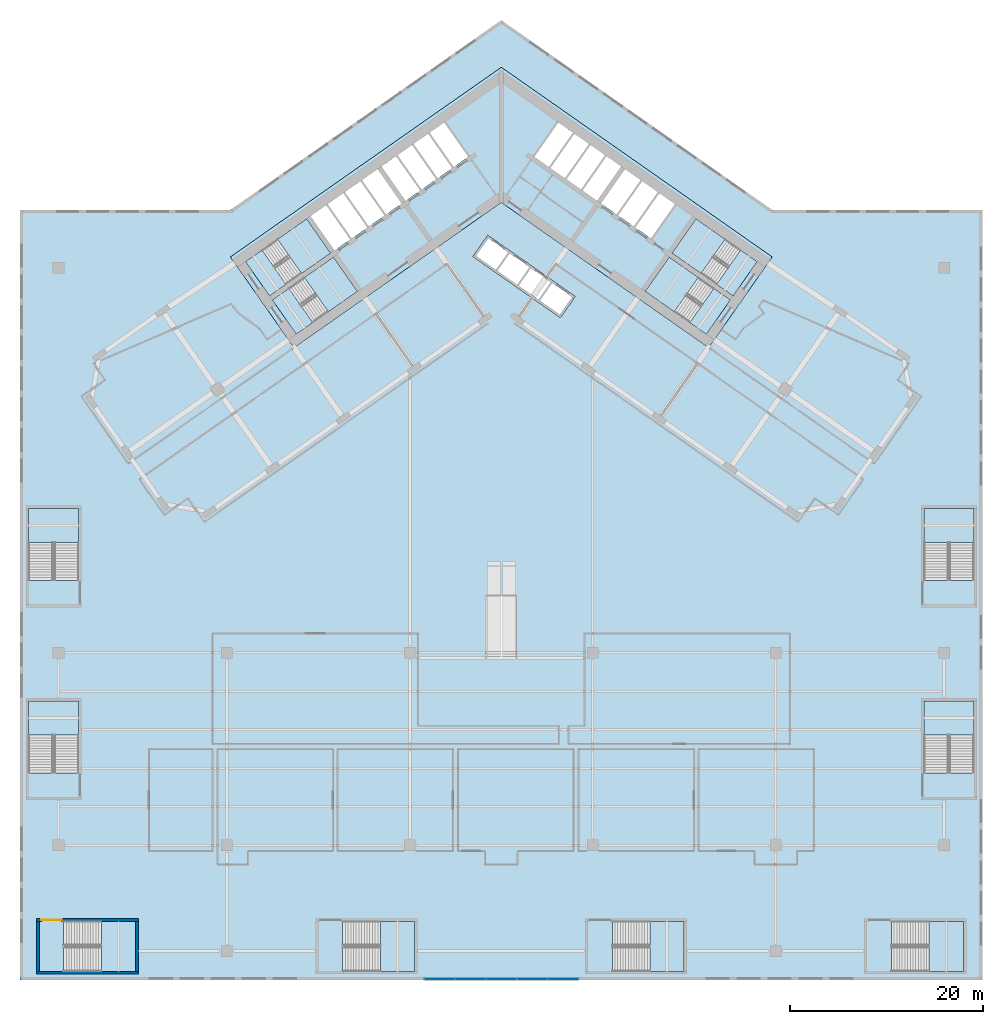
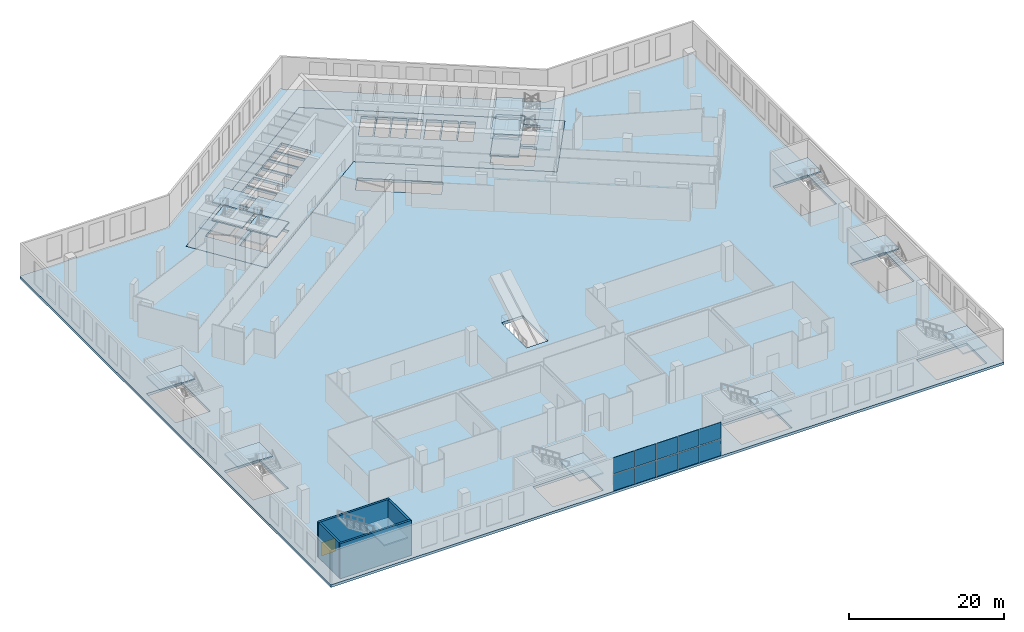
# One storey, part 4 of 26: 22 slabs, 10 plates, 4 walls, 1 door, 1 opening, 13 elements without a shape of their own.
"""IFC4 building model written with IfcOpenShell, lengths in metres."""

from ifc_helpers import new_model, si_unit, direction, frame, frame_2d, origin, origin_2d, place, context, subcontext, project, spatial, polyline, rectangle, outline, extrude, material, layer, layer_set, type_object, element, fill, aggregate, save


model = new_model("IFC4")

# Units and contexts
model_context = context("Model", 3, precision=1e-05, world=origin(), true_north=direction((0.0, 1.0)))
body_context = subcontext(model_context, "Body", "Model", "MODEL_VIEW")
ifc_project = project(units=[si_unit("LENGTHUNIT", "METRE"), si_unit("AREAUNIT", "SQUARE_METRE"), si_unit("VOLUMEUNIT", "CUBIC_METRE"), si_unit("PLANEANGLEUNIT", "RADIAN"), si_unit("MASSUNIT", "GRAM", prefix="KILO")], contexts=[model_context])

# Site, building, storey
site_placement = place(None, origin())
site = spatial("IfcSite", under=ifc_project, at=site_placement, CompositionType="ELEMENT")
building_placement = place(site_placement, origin())
building = spatial("IfcBuilding", under=site, at=building_placement, Name="Tel Ilan Convention Tower", CompositionType="ELEMENT")
storey_placement = place(building_placement, frame((0.0, 0.0, 32.0)))
storey = spatial("IfcBuildingStorey", under=building, at=storey_placement, Name="L04", CompositionType="ELEMENT", Elevation=32.0)

# Curtain wall, plates
ifc_material_1 = material(Name="Aluminium, bronze anodised", Category="aluminium")
curtain_wall_type = type_object("IfcCurtainWallType", Name="CW3 FOYER CURTAIN WALL, CLEAR GLASS", PredefinedType="NOTDEFINED", material=ifc_material_1)
curtain_wall_placement = place(storey_placement, origin())
curtain_wall = element("IfcCurtainWall", 1, at=curtain_wall_placement, inside=storey, type_object=curtain_wall_type, Name="Curtain wall CW3-07.F01", PredefinedType="NOTDEFINED")
ifc_material_2 = material(Name="Glass, clear, two-ply", Category="glass")
ifc_layer_1 = layer(ifc_material_2, 0.028076171875)
ifc_layer_set_1 = layer_set([ifc_layer_1], Name="CW FOYER GLASS PANEL 28")
plate_type = type_object("IfcPlateType", Name="CW FOYER GLASS PANEL 28", PredefinedType="CURTAIN_PANEL", material=ifc_layer_set_1)
plate_1_placement = place(storey_placement, frame((-6.39990234375, -81.89990234375, 0.0), z_axis=(0.0, 0.0, 1.0), x_axis=(1.0, 0.0, 0.0)))
plate_1 = element("IfcPlate", 2, at=plate_1_placement, type_object=plate_type, Name="Glass panel", PredefinedType="CURTAIN_PANEL", context=body_context, shape_type="SweptSolid", body=[
    extrude(rectangle(XDim=3.139892578125, YDim=0.028076171875, at=origin_2d()), origin(), (0.0, 0.0, 1.0), 2.550048828125),
])
plate_2_placement = place(storey_placement, frame((-6.39990234375, -81.89990234375, 2.669921875), z_axis=(0.0, 0.0, 1.0), x_axis=(1.0, 0.0, 0.0)))
plate_2 = element("IfcPlate", 3, at=plate_2_placement, type_object=plate_type, Name="Glass panel", PredefinedType="CURTAIN_PANEL", context=body_context, shape_type="SweptSolid", body=[
    extrude(rectangle(XDim=3.139892578125, YDim=0.028076171875, at=origin_2d()), origin(), (0.0, 0.0, 1.0), 2.550048828125),
])
plate_3_placement = place(storey_placement, frame((-3.199951171875, -81.89990234375, 0.0), z_axis=(0.0, 0.0, 1.0), x_axis=(1.0, 0.0, 0.0)))
plate_3 = element("IfcPlate", 4, at=plate_3_placement, type_object=plate_type, Name="Glass panel", PredefinedType="CURTAIN_PANEL", context=body_context, shape_type="SweptSolid", body=[
    extrude(rectangle(XDim=3.139892578125, YDim=0.028076171875, at=origin_2d()), origin(), (0.0, 0.0, 1.0), 2.550048828125),
])
plate_4_placement = place(storey_placement, frame((-3.199951171875, -81.89990234375, 2.669921875), z_axis=(0.0, 0.0, 1.0), x_axis=(1.0, 0.0, 0.0)))
plate_4 = element("IfcPlate", 5, at=plate_4_placement, type_object=plate_type, Name="Glass panel", PredefinedType="CURTAIN_PANEL", context=body_context, shape_type="SweptSolid", body=[
    extrude(rectangle(XDim=3.139892578125, YDim=0.028076171875, at=origin_2d()), origin(), (0.0, 0.0, 1.0), 2.550048828125),
])
plate_5_placement = place(storey_placement, frame((0.0, -81.89990234375, 0.0), z_axis=(0.0, 0.0, 1.0), x_axis=(1.0, 0.0, 0.0)))
plate_5 = element("IfcPlate", 6, at=plate_5_placement, type_object=plate_type, Name="Glass panel", PredefinedType="CURTAIN_PANEL", context=body_context, shape_type="SweptSolid", body=[
    extrude(rectangle(XDim=3.139892578125, YDim=0.028076171875, at=origin_2d()), origin(), (0.0, 0.0, 1.0), 2.550048828125),
])
plate_6_placement = place(storey_placement, frame((0.0, -81.89990234375, 2.669921875), z_axis=(0.0, 0.0, 1.0), x_axis=(1.0, 0.0, 0.0)))
plate_6 = element("IfcPlate", 7, at=plate_6_placement, type_object=plate_type, Name="Glass panel", PredefinedType="CURTAIN_PANEL", context=body_context, shape_type="SweptSolid", body=[
    extrude(rectangle(XDim=3.139892578125, YDim=0.028076171875, at=origin_2d()), origin(), (0.0, 0.0, 1.0), 2.550048828125),
])
plate_7_placement = place(storey_placement, frame((3.199951171875, -81.89990234375, 0.0), z_axis=(0.0, 0.0, 1.0), x_axis=(1.0, 0.0, 0.0)))
plate_7 = element("IfcPlate", 8, at=plate_7_placement, type_object=plate_type, Name="Glass panel", PredefinedType="CURTAIN_PANEL", context=body_context, shape_type="SweptSolid", body=[
    extrude(rectangle(XDim=3.139892578125, YDim=0.028076171875, at=origin_2d()), origin(), (0.0, 0.0, 1.0), 2.550048828125),
])
plate_8_placement = place(storey_placement, frame((3.199951171875, -81.89990234375, 2.669921875), z_axis=(0.0, 0.0, 1.0), x_axis=(1.0, 0.0, 0.0)))
plate_8 = element("IfcPlate", 9, at=plate_8_placement, type_object=plate_type, Name="Glass panel", PredefinedType="CURTAIN_PANEL", context=body_context, shape_type="SweptSolid", body=[
    extrude(rectangle(XDim=3.139892578125, YDim=0.028076171875, at=origin_2d()), origin(), (0.0, 0.0, 1.0), 2.550048828125),
])
plate_9_placement = place(storey_placement, frame((6.39990234375, -81.89990234375, 0.0), z_axis=(0.0, 0.0, 1.0), x_axis=(1.0, 0.0, 0.0)))
plate_9 = element("IfcPlate", 10, at=plate_9_placement, type_object=plate_type, Name="Glass panel", PredefinedType="CURTAIN_PANEL", context=body_context, shape_type="SweptSolid", body=[
    extrude(rectangle(XDim=3.139892578125, YDim=0.028076171875, at=origin_2d()), origin(), (0.0, 0.0, 1.0), 2.550048828125),
])
plate_10_placement = place(storey_placement, frame((6.39990234375, -81.89990234375, 2.669921875), z_axis=(0.0, 0.0, 1.0), x_axis=(1.0, 0.0, 0.0)))
plate_10 = element("IfcPlate", 11, at=plate_10_placement, type_object=plate_type, Name="Glass panel", PredefinedType="CURTAIN_PANEL", context=body_context, shape_type="SweptSolid", body=[
    extrude(rectangle(XDim=3.139892578125, YDim=0.028076171875, at=origin_2d()), origin(), (0.0, 0.0, 1.0), 2.550048828125),
])
aggregate(curtain_wall, [plate_1, plate_2, plate_3, plate_4, plate_5, plate_6, plate_7, plate_8, plate_9, plate_10])

# Stair, slabs
ifc_material_3 = material(Name="Concrete C40/50", Category="concrete")
stair_type_1 = type_object("IfcStairType", Name="Pressurised Exit Stair 32 risers 172 mm", PredefinedType="HALF_TURN_STAIR", material=ifc_material_3)
stair_1_placement = place(storey_placement, origin())
stair_1 = element("IfcStair", 12, at=stair_1_placement, inside=storey, type_object=stair_type_1, Name="L04 Pressurised Stair S1", PredefinedType="HALF_TURN_STAIR")
ifc_material_4 = material(Name="Concrete C40/50", Category="concrete")
ifc_layer_2 = layer(ifc_material_4, 0.199951171875)
ifc_layer_set_2 = layer_set([ifc_layer_2], Name="Concrete Stair Landing 200 mm C40/50")
slab_type_1 = type_object("IfcSlabType", Name="Concrete Stair Landing 200 mm", PredefinedType="LANDING", material=ifc_layer_set_2)
slab_1_placement = place(storey_placement, frame((0.0, 0.0, 1.175048828125)))
slab_1 = element("IfcSlab", 13, at=slab_1_placement, type_object=slab_type_1, Name="S1 landing 1", PredefinedType="LANDING", context=body_context, shape_type="SweptSolid", body=[
    extrude(outline(polyline([(-20.754638671875, -8.61181640625), (-17.7314453125, -6.494873046875), (-20.226318359375, -2.931640625), (-23.249755859375, -5.048583984375), (-20.754638671875, -8.61181640625)])), origin(), (0.0, 0.0, 1.0), 0.199951171875),
])
slab_2_placement = place(storey_placement, frame((0.0, 0.0, 2.550048828125)))
slab_2 = element("IfcSlab", 14, at=slab_2_placement, type_object=slab_type_1, Name="S1 landing 2", PredefinedType="LANDING", context=body_context, shape_type="SweptSolid", body=[
    extrude(outline(polyline([(-24.079833984375, -10.940185546875), (-22.35888671875, -9.735107421875), (-24.85400390625, -6.171875), (-26.574951171875, -7.376708984375), (-24.079833984375, -10.940185546875)])), origin(), (0.0, 0.0, 1.0), 0.199951171875),
])
slab_3_placement = place(storey_placement, frame((0.0, 0.0, 3.925048828125)))
slab_3 = element("IfcSlab", 15, at=slab_3_placement, type_object=slab_type_1, Name="S1 landing 3", PredefinedType="LANDING", context=body_context, shape_type="SweptSolid", body=[
    extrude(outline(polyline([(-20.754638671875, -8.61181640625), (-17.7314453125, -6.494873046875), (-20.226318359375, -2.931640625), (-23.249755859375, -5.048583984375), (-20.754638671875, -8.61181640625)])), origin(), (0.0, 0.0, 1.0), 0.199951171875),
])
aggregate(stair_1, [slab_1, slab_2, slab_3])

stair_2_placement = place(storey_placement, origin())
stair_2 = element("IfcStair", 16, at=stair_2_placement, inside=storey, type_object=stair_type_1, Name="L04 Pressurised Stair S2", PredefinedType="HALF_TURN_STAIR")
slab_4_placement = place(storey_placement, frame((0.0, 0.0, 1.175048828125)))
slab_4 = element("IfcSlab", 17, at=slab_4_placement, type_object=slab_type_1, Name="S2 landing 1", PredefinedType="LANDING", context=body_context, shape_type="SweptSolid", body=[
    extrude(outline(polyline([(-17.972900390625, -12.584716796875), (-14.949462890625, -10.4677734375), (-17.444580078125, -6.904541015625), (-20.468017578125, -9.021484375), (-17.972900390625, -12.584716796875)])), origin(), (0.0, 0.0, 1.0), 0.199951171875),
])
slab_5_placement = place(storey_placement, frame((0.0, 0.0, 2.550048828125)))
slab_5 = element("IfcSlab", 18, at=slab_5_placement, type_object=slab_type_1, Name="S2 landing 2", PredefinedType="LANDING", context=body_context, shape_type="SweptSolid", body=[
    extrude(outline(polyline([(-21.2978515625, -14.9130859375), (-19.5771484375, -13.7080078125), (-22.072021484375, -10.144775390625), (-23.79296875, -11.349609375), (-21.2978515625, -14.9130859375)])), origin(), (0.0, 0.0, 1.0), 0.199951171875),
])
slab_6_placement = place(storey_placement, frame((0.0, 0.0, 3.925048828125)))
slab_6 = element("IfcSlab", 19, at=slab_6_placement, type_object=slab_type_1, Name="S2 landing 3", PredefinedType="LANDING", context=body_context, shape_type="SweptSolid", body=[
    extrude(outline(polyline([(-17.972900390625, -12.584716796875), (-14.949462890625, -10.4677734375), (-17.444580078125, -6.904541015625), (-20.468017578125, -9.021484375), (-17.972900390625, -12.584716796875)])), origin(), (0.0, 0.0, 1.0), 0.199951171875),
])
aggregate(stair_2, [slab_4, slab_5, slab_6])

stair_3_placement = place(storey_placement, origin())
stair_3 = element("IfcStair", 20, at=stair_3_placement, inside=storey, type_object=stair_type_1, Name="L04 Pressurised Stair S3", PredefinedType="HALF_TURN_STAIR")
slab_7_placement = place(storey_placement, frame((0.0, 0.0, 1.175048828125)))
slab_7 = element("IfcSlab", 21, at=slab_7_placement, type_object=slab_type_1, Name="S3 landing 1", PredefinedType="LANDING", context=body_context, shape_type="SweptSolid", body=[
    extrude(outline(polyline([(23.249755859375, -5.048583984375), (20.226318359375, -2.931640625), (17.7314453125, -6.494873046875), (20.754638671875, -8.61181640625), (23.249755859375, -5.048583984375)])), origin(), (0.0, 0.0, 1.0), 0.199951171875),
])
slab_8_placement = place(storey_placement, frame((0.0, 0.0, 2.550048828125)))
slab_8 = element("IfcSlab", 22, at=slab_8_placement, type_object=slab_type_1, Name="S3 landing 2", PredefinedType="LANDING", context=body_context, shape_type="SweptSolid", body=[
    extrude(outline(polyline([(26.574951171875, -7.376708984375), (24.85400390625, -6.171875), (22.35888671875, -9.735107421875), (24.079833984375, -10.940185546875), (26.574951171875, -7.376708984375)])), origin(), (0.0, 0.0, 1.0), 0.199951171875),
])
slab_9_placement = place(storey_placement, frame((0.0, 0.0, 3.925048828125)))
slab_9 = element("IfcSlab", 23, at=slab_9_placement, type_object=slab_type_1, Name="S3 landing 3", PredefinedType="LANDING", context=body_context, shape_type="SweptSolid", body=[
    extrude(outline(polyline([(23.249755859375, -5.048583984375), (20.226318359375, -2.931640625), (17.7314453125, -6.494873046875), (20.754638671875, -8.61181640625), (23.249755859375, -5.048583984375)])), origin(), (0.0, 0.0, 1.0), 0.199951171875),
])
aggregate(stair_3, [slab_7, slab_8, slab_9])

stair_4_placement = place(storey_placement, origin())
stair_4 = element("IfcStair", 24, at=stair_4_placement, inside=storey, type_object=stair_type_1, Name="L04 Pressurised Stair S4", PredefinedType="HALF_TURN_STAIR")
slab_10_placement = place(storey_placement, frame((0.0, 0.0, 1.175048828125)))
slab_10 = element("IfcSlab", 25, at=slab_10_placement, type_object=slab_type_1, Name="S4 landing 1", PredefinedType="LANDING", context=body_context, shape_type="SweptSolid", body=[
    extrude(outline(polyline([(20.468017578125, -9.021484375), (17.444580078125, -6.904541015625), (14.949462890625, -10.4677734375), (17.972900390625, -12.584716796875), (20.468017578125, -9.021484375)])), origin(), (0.0, 0.0, 1.0), 0.199951171875),
])
slab_11_placement = place(storey_placement, frame((0.0, 0.0, 2.550048828125)))
slab_11 = element("IfcSlab", 26, at=slab_11_placement, type_object=slab_type_1, Name="S4 landing 2", PredefinedType="LANDING", context=body_context, shape_type="SweptSolid", body=[
    extrude(outline(polyline([(23.79296875, -11.349609375), (22.072021484375, -10.144775390625), (19.5771484375, -13.7080078125), (21.2978515625, -14.9130859375), (23.79296875, -11.349609375)])), origin(), (0.0, 0.0, 1.0), 0.199951171875),
])
slab_12_placement = place(storey_placement, frame((0.0, 0.0, 3.925048828125)))
slab_12 = element("IfcSlab", 27, at=slab_12_placement, type_object=slab_type_1, Name="S4 landing 3", PredefinedType="LANDING", context=body_context, shape_type="SweptSolid", body=[
    extrude(outline(polyline([(20.468017578125, -9.021484375), (17.444580078125, -6.904541015625), (14.949462890625, -10.4677734375), (17.972900390625, -12.584716796875), (20.468017578125, -9.021484375)])), origin(), (0.0, 0.0, 1.0), 0.199951171875),
])
aggregate(stair_4, [slab_10, slab_11, slab_12])

# Stair, slab
ifc_material_5 = material(Name="Concrete C40/50", Category="concrete")
stair_type_2 = type_object("IfcStairType", Name="Pressurised Exit Stair 30 risers 183 mm", PredefinedType="HALF_TURN_STAIR", material=ifc_material_5)
stair_5_placement = place(storey_placement, origin())
stair_5 = element("IfcStair", 28, at=stair_5_placement, inside=storey, type_object=stair_type_2, Name="L04 Podium Exit Stair P1", PredefinedType="HALF_TURN_STAIR")
slab_13_placement = place(storey_placement, frame((0.0, 0.0, 2.550048828125)))
slab_13 = element("IfcSlab", 29, at=slab_13_placement, type_object=slab_type_1, Name="P1 landing 1", PredefinedType="LANDING", context=body_context, shape_type="SweptSolid", body=[
    extrude(outline(polyline([(-41.555908203125, -81.10009765625), (-38.0, -81.10009765625), (-38.0, -75.89990234375), (-41.555908203125, -75.89990234375), (-41.555908203125, -81.10009765625)])), origin(), (0.0, 0.0, 1.0), 0.199951171875),
])
aggregate(stair_5, [slab_13])

stair_6_placement = place(storey_placement, origin())
stair_6 = element("IfcStair", 30, at=stair_6_placement, inside=storey, type_object=stair_type_2, Name="L04 Podium Exit Stair P2", PredefinedType="HALF_TURN_STAIR")
slab_14_placement = place(storey_placement, frame((0.0, 0.0, 2.550048828125)))
slab_14 = element("IfcSlab", 31, at=slab_14_placement, type_object=slab_type_1, Name="P2 landing 1", PredefinedType="LANDING", context=body_context, shape_type="SweptSolid", body=[
    extrude(outline(polyline([(-12.555908203125, -81.10009765625), (-9.0, -81.10009765625), (-9.0, -75.89990234375), (-12.555908203125, -75.89990234375), (-12.555908203125, -81.10009765625)])), origin(), (0.0, 0.0, 1.0), 0.199951171875),
])
aggregate(stair_6, [slab_14])

stair_7_placement = place(storey_placement, origin())
stair_7 = element("IfcStair", 32, at=stair_7_placement, inside=storey, type_object=stair_type_2, Name="L04 Podium Exit Stair P3", PredefinedType="HALF_TURN_STAIR")
slab_15_placement = place(storey_placement, frame((0.0, 0.0, 2.550048828125)))
slab_15 = element("IfcSlab", 33, at=slab_15_placement, type_object=slab_type_1, Name="P3 landing 1", PredefinedType="LANDING", context=body_context, shape_type="SweptSolid", body=[
    extrude(outline(polyline([(15.444091796875, -81.10009765625), (19.0, -81.10009765625), (19.0, -75.89990234375), (15.444091796875, -75.89990234375), (15.444091796875, -81.10009765625)])), origin(), (0.0, 0.0, 1.0), 0.199951171875),
])
aggregate(stair_7, [slab_15])

stair_8_placement = place(storey_placement, origin())
stair_8 = element("IfcStair", 34, at=stair_8_placement, inside=storey, type_object=stair_type_2, Name="L04 Podium Exit Stair P4", PredefinedType="HALF_TURN_STAIR")
slab_16_placement = place(storey_placement, frame((0.0, 0.0, 2.550048828125)))
slab_16 = element("IfcSlab", 35, at=slab_16_placement, type_object=slab_type_1, Name="P4 landing 1", PredefinedType="LANDING", context=body_context, shape_type="SweptSolid", body=[
    extrude(outline(polyline([(44.444091796875, -81.10009765625), (48.0, -81.10009765625), (48.0, -75.89990234375), (44.444091796875, -75.89990234375), (44.444091796875, -81.10009765625)])), origin(), (0.0, 0.0, 1.0), 0.199951171875),
])
aggregate(stair_8, [slab_16])

stair_9_placement = place(storey_placement, origin())
stair_9 = element("IfcStair", 36, at=stair_9_placement, inside=storey, type_object=stair_type_2, Name="L04 Podium Exit Stair P5", PredefinedType="HALF_TURN_STAIR")
slab_17_placement = place(storey_placement, frame((0.0, 0.0, 2.550048828125)))
slab_17 = element("IfcSlab", 37, at=slab_17_placement, type_object=slab_type_1, Name="P5 landing 1", PredefinedType="LANDING", context=body_context, shape_type="SweptSolid", body=[
    extrude(outline(polyline([(-43.89990234375, -56.555908203125), (-43.89990234375, -53.0), (-49.10009765625, -53.0), (-49.10009765625, -56.555908203125), (-43.89990234375, -56.555908203125)])), origin(), (0.0, 0.0, 1.0), 0.199951171875),
])
aggregate(stair_9, [slab_17])

stair_10_placement = place(storey_placement, origin())
stair_10 = element("IfcStair", 38, at=stair_10_placement, inside=storey, type_object=stair_type_2, Name="L04 Podium Exit Stair P6", PredefinedType="HALF_TURN_STAIR")
slab_18_placement = place(storey_placement, frame((0.0, 0.0, 2.550048828125)))
slab_18 = element("IfcSlab", 39, at=slab_18_placement, type_object=slab_type_1, Name="P6 landing 1", PredefinedType="LANDING", context=body_context, shape_type="SweptSolid", body=[
    extrude(outline(polyline([(49.10009765625, -56.555908203125), (49.10009765625, -53.0), (43.89990234375, -53.0), (43.89990234375, -56.555908203125), (49.10009765625, -56.555908203125)])), origin(), (0.0, 0.0, 1.0), 0.199951171875),
])
aggregate(stair_10, [slab_18])

stair_11_placement = place(storey_placement, origin())
stair_11 = element("IfcStair", 40, at=stair_11_placement, inside=storey, type_object=stair_type_2, Name="L04 Podium Exit Stair P7", PredefinedType="HALF_TURN_STAIR")
slab_19_placement = place(storey_placement, frame((0.0, 0.0, 2.550048828125)))
slab_19 = element("IfcSlab", 41, at=slab_19_placement, type_object=slab_type_1, Name="P7 landing 1", PredefinedType="LANDING", context=body_context, shape_type="SweptSolid", body=[
    extrude(outline(polyline([(-43.89990234375, -36.555908203125), (-43.89990234375, -33.0), (-49.10009765625, -33.0), (-49.10009765625, -36.555908203125), (-43.89990234375, -36.555908203125)])), origin(), (0.0, 0.0, 1.0), 0.199951171875),
])
aggregate(stair_11, [slab_19])

stair_12_placement = place(storey_placement, origin())
stair_12 = element("IfcStair", 42, at=stair_12_placement, inside=storey, type_object=stair_type_2, Name="L04 Podium Exit Stair P8", PredefinedType="HALF_TURN_STAIR")
slab_20_placement = place(storey_placement, frame((0.0, 0.0, 2.550048828125)))
slab_20 = element("IfcSlab", 43, at=slab_20_placement, type_object=slab_type_1, Name="P8 landing 1", PredefinedType="LANDING", context=body_context, shape_type="SweptSolid", body=[
    extrude(outline(polyline([(49.10009765625, -36.555908203125), (49.10009765625, -33.0), (43.89990234375, -33.0), (43.89990234375, -36.555908203125), (49.10009765625, -36.555908203125)])), origin(), (0.0, 0.0, 1.0), 0.199951171875),
])
aggregate(stair_12, [slab_20])

# Slabs
ifc_material_6 = material(Name="Concrete C40/50", Category="concrete")
ifc_layer_3 = layer(ifc_material_6, 0.39990234375)
ifc_layer_set_3 = layer_set([ifc_layer_3], Name="Core Floor Slab 400 mm C40/50")
slab_type_2 = type_object("IfcSlabType", Name="Core Floor Slab 400 mm C40/50", PredefinedType="FLOOR", material=ifc_layer_set_3)
slab_21_placement = place(storey_placement, frame((0.0, 0.0, -0.39990234375)))
element("IfcSlab", 44, at=slab_21_placement, inside=storey, type_object=slab_type_2, Name="L04 core floor 1", PredefinedType="FLOOR", context=body_context, shape_type="SweptSolid", body=[
    extrude(outline(polyline([(-28.1396484375, -6.885498046875), (0.0, 12.818115234375), (28.1396484375, -6.885498046875), (21.54345703125, -16.3056640625), (0.0, -1.220703125), (-21.54345703125, -16.3056640625), (-28.1396484375, -6.885498046875)]), holes=[polyline([(-19.5771484375, -13.7080078125), (-14.949462890625, -10.4677734375), (-17.444580078125, -6.904541015625), (-22.072021484375, -10.144775390625), (-19.5771484375, -13.7080078125)]), polyline([(-22.35888671875, -9.735107421875), (-17.7314453125, -6.494873046875), (-20.226318359375, -2.931640625), (-24.85400390625, -6.171875), (-22.35888671875, -9.735107421875)]), polyline([(-15.7041015625, -5.0751953125), (-18.198974609375, -1.511962890625), (-19.81689453125, -2.644775390625), (-17.32177734375, -6.2080078125), (-15.7041015625, -5.0751953125)]), polyline([(-13.92236328125, -3.827880859375), (-16.41748046875, -0.264404296875), (-18.03515625, -1.397216796875), (-15.5400390625, -4.960693359375), (-13.92236328125, -3.827880859375)]), polyline([(-12.140625, -2.580078125), (-14.6357421875, 0.983154296875), (-16.25341796875, -0.149658203125), (-13.758544921875, -3.712890625), (-12.140625, -2.580078125)]), polyline([(-10.35888671875, -1.332763671875), (-12.85400390625, 2.230712890625), (-14.471923828125, 1.097900390625), (-11.976806640625, -2.465576171875), (-10.35888671875, -1.332763671875)]), polyline([(-8.444091796875, 0.008056640625), (-10.939208984375, 3.5712890625), (-12.444580078125, 2.517333984375), (-9.949462890625, -1.0458984375), (-8.444091796875, 0.008056640625)]), polyline([(-6.775146484375, 1.1767578125), (-9.270263671875, 4.739990234375), (-10.775390625, 3.68603515625), (-8.280517578125, 0.122802734375), (-6.775146484375, 1.1767578125)]), polyline([(-5.106201171875, 2.345458984375), (-7.601318359375, 5.90869140625), (-9.1064453125, 4.854736328125), (-6.611328125, 1.29150390625), (-5.106201171875, 2.345458984375)]), polyline([(-3.437255859375, 3.513916015625), (-5.93212890625, 7.077392578125), (-7.4375, 6.0234375), (-4.9423828125, 2.460205078125), (-3.437255859375, 3.513916015625)]), polyline([(22.072021484375, -10.144775390625), (17.444580078125, -6.904541015625), (14.949462890625, -10.4677734375), (19.5771484375, -13.7080078125), (22.072021484375, -10.144775390625)]), polyline([(24.85400390625, -6.171875), (20.226318359375, -2.931640625), (17.7314453125, -6.494873046875), (22.35888671875, -9.735107421875), (24.85400390625, -6.171875)]), polyline([(13.92236328125, -3.827880859375), (15.5400390625, -4.960693359375), (18.03515625, -1.397216796875), (16.41748046875, -0.264404296875), (13.92236328125, -3.827880859375)]), polyline([(12.140625, -2.580078125), (13.758544921875, -3.712890625), (16.25341796875, -0.149658203125), (14.6357421875, 0.983154296875), (12.140625, -2.580078125)]), polyline([(10.35888671875, -1.332763671875), (11.976806640625, -2.465576171875), (14.471923828125, 1.097900390625), (12.85400390625, 2.230712890625), (10.35888671875, -1.332763671875)]), polyline([(8.444091796875, 0.008056640625), (9.949462890625, -1.0458984375), (12.444580078125, 2.517333984375), (10.939208984375, 3.5712890625), (8.444091796875, 0.008056640625)]), polyline([(6.775146484375, 1.1767578125), (8.280517578125, 0.122802734375), (10.775390625, 3.68603515625), (9.270263671875, 4.739990234375), (6.775146484375, 1.1767578125)]), polyline([(5.106201171875, 2.345458984375), (6.611328125, 1.29150390625), (9.1064453125, 4.854736328125), (7.601318359375, 5.90869140625), (5.106201171875, 2.345458984375)]), polyline([(3.437255859375, 3.513916015625), (4.9423828125, 2.460205078125), (7.4375, 6.0234375), (5.93212890625, 7.077392578125), (3.437255859375, 3.513916015625)])]), origin(), (0.0, 0.0, 1.0), 0.39990234375),
])
ifc_material_7 = material(Name="Concrete C40/50", Category="concrete")
ifc_layer_4 = layer(ifc_material_7, 0.39990234375)
ifc_layer_set_4 = layer_set([ifc_layer_4], Name="Podium Floor Slab 400 mm C40/50")
slab_type_3 = type_object("IfcSlabType", Name="Podium Floor Slab 400 mm C40/50", PredefinedType="FLOOR", material=ifc_layer_set_4)
slab_22_placement = place(storey_placement, frame((0.0, 0.0, -0.39990234375)))
element("IfcSlab", 45, at=slab_22_placement, inside=storey, type_object=slab_type_3, Name="L04 floor slab", PredefinedType="FLOOR", context=body_context, shape_type="SweptSolid", body=[
    extrude(outline(polyline([(-50.0, -2.0), (-28.13623046875, -2.0), (0.0, 17.701171875), (28.13623046875, -2.0), (50.0, -2.0), (50.0, -82.0), (-50.0, -82.0), (-50.0, -2.0)]), holes=[polyline([(43.89990234375, -53.0), (43.89990234375, -60.47412109375), (49.10009765625, -60.47412109375), (49.10009765625, -53.0), (43.89990234375, -53.0)]), polyline([(49.10009765625, -33.0), (43.89990234375, -33.0), (43.89990234375, -40.47412109375), (49.10009765625, -40.47412109375), (49.10009765625, -33.0)]), polyline([(48.0, -75.89990234375), (40.52587890625, -75.89990234375), (40.52587890625, -81.10009765625), (48.0, -81.10009765625), (48.0, -75.89990234375)]), polyline([(21.54345703125, -16.3056640625), (28.1396484375, -6.885498046875), (0.0, 12.818115234375), (-28.1396484375, -6.885498046875), (-21.54345703125, -16.3056640625), (0.0, -1.220703125), (21.54345703125, -16.3056640625)]), polyline([(11.52587890625, -75.89990234375), (11.52587890625, -81.10009765625), (19.0, -81.10009765625), (19.0, -75.89990234375), (11.52587890625, -75.89990234375)]), polyline([(6.13427734375, -13.206787109375), (7.682861328125, -10.9951171875), (-1.40966796875, -4.62841796875), (-2.95849609375, -6.840087890625), (6.13427734375, -13.206787109375)]), polyline([(-1.60009765625, -42.035888671875), (-1.60009765625, -48.535888671875), (1.60009765625, -48.535888671875), (1.60009765625, -42.035888671875), (-1.60009765625, -42.035888671875)]), polyline([(-16.47412109375, -75.89990234375), (-16.47412109375, -81.10009765625), (-9.0, -81.10009765625), (-9.0, -75.89990234375), (-16.47412109375, -75.89990234375)]), polyline([(-45.47412109375, -75.89990234375), (-45.47412109375, -81.10009765625), (-38.0, -81.10009765625), (-38.0, -75.89990234375), (-45.47412109375, -75.89990234375)]), polyline([(-49.10009765625, -33.0), (-49.10009765625, -40.47412109375), (-43.89990234375, -40.47412109375), (-43.89990234375, -33.0), (-49.10009765625, -33.0)]), polyline([(-43.89990234375, -53.0), (-49.10009765625, -53.0), (-49.10009765625, -60.47412109375), (-43.89990234375, -60.47412109375), (-43.89990234375, -53.0)])]), origin(), (0.0, 0.0, 1.0), 0.39990234375),
])

# Wall
ifc_material_8 = material(Name="Concrete C40/50", Category="concrete")
ifc_layer_5 = layer(ifc_material_8, 0.300048828125)
ifc_layer_set_5 = layer_set([ifc_layer_5], Name="Stair Enclosure Wall 300 mm C40/50")
wall_type = type_object("IfcWallType", Name="Stair Enclosure Wall 300 mm C40/50", PredefinedType="SOLIDWALL", material=ifc_layer_set_5)
wall_1_placement = place(storey_placement, frame((-48.300048828125, -81.25, 0.0), z_axis=(0.0, 0.0, 1.0), x_axis=(1.0, 0.0, 0.0)))
element("IfcWall", 46, at=wall_1_placement, inside=storey, type_object=wall_type, Name="P1 stair enclosure wall S L04", PredefinedType="SOLIDWALL", context=body_context, shape_type="SweptSolid", body=[
    extrude(rectangle(XDim=10.60009765625, YDim=0.300048828125, at=frame_2d((5.300048828125, 0.0))), origin(), (0.0, 0.0, 1.0), 5.5),
])

# Wall, opening, door
wall_2_placement = place(storey_placement, frame((-48.300048828125, -75.75, 0.0), z_axis=(0.0, 0.0, 1.0), x_axis=(1.0, 0.0, 0.0)))
wall_2 = element("IfcWall", 47, at=wall_2_placement, inside=storey, type_object=wall_type, Name="P1 stair enclosure wall N L04", PredefinedType="SOLIDWALL", context=body_context, shape_type="SweptSolid", body=[
    extrude(rectangle(XDim=10.60009765625, YDim=0.300048828125, at=frame_2d((5.300048828125, 0.0))), origin(), (0.0, 0.0, 1.0), 5.5),
])
opening_placement = place(wall_2_placement, frame((0.512451171875, 0.0, 0.0)))
opening = element("IfcOpeningElement", 48, at=opening_placement, cuts=wall_2, Name="Opening PD107", PredefinedType="OPENING", context=body_context, shape_type="SweptSolid", body=[
    extrude(rectangle(XDim=2.10009765625, YDim=2.10009765625, at=frame_2d((1.050048828125, 1.050048828125))), frame((0.0, 0.159912109375, 0.0), z_axis=(0.0, -1.0, 0.0), x_axis=(1.0, 0.0, 0.0)), (0.0, 0.0, 1.0), 0.320068359375),
])
ifc_material_9 = material(Name="Galvanised Steel Door Leaf", Category="steel")
door_type = type_object("IfcDoorType", Name="Stair Fire Door 2100 x 2100 FD60S", OperationType="NOTDEFINED", PredefinedType="DOOR", material=ifc_material_9)
door_placement = place(opening_placement, origin())
door = element("IfcDoor", 49, at=door_placement, inside=storey, type_object=door_type, Name="Stair P1 floor door", OperationType="DOUBLE_DOOR_SINGLE_SWING", OverallHeight=2.10009765625, OverallWidth=2.10009765625, PredefinedType="DOOR", context=body_context, shape_type="SweptSolid", body=[
    extrude(rectangle(XDim=2.10009765625, YDim=2.10009765625, at=frame_2d((1.050048828125, 1.050048828125))), frame((0.0, 0.02490234375, 0.0), z_axis=(0.0, -1.0, 0.0), x_axis=(1.0, 0.0, 0.0)), (0.0, 0.0, 1.0), 0.050048828125),
])
fill(opening, door)

# Walls
for number, where, z_axis, x_axis, name in (
    (50, (-48.14990234375, -81.10009765625, 0.0), (0.0, 0.0, 1.0), (0.0, 1.0, 0.0), "P1 stair enclosure wall W L04"),
    (51, (-37.85009765625, -81.10009765625, 0.0), (0.0, 0.0, 1.0), (0.0, 1.0, 0.0), "P1 stair enclosure wall E L04"),
):
    element("IfcWall", number, at=place(storey_placement, frame(where, z_axis=z_axis, x_axis=x_axis)), inside=storey, type_object=wall_type, Name=name, PredefinedType="SOLIDWALL", context=body_context, shape_type="SweptSolid", body=[
        extrude(rectangle(XDim=5.2001953125, YDim=0.300048828125, at=frame_2d((2.60009765625, 0.0))), origin(), (0.0, 0.0, 1.0), 5.5),
    ])

save(model, "model.ifc")
